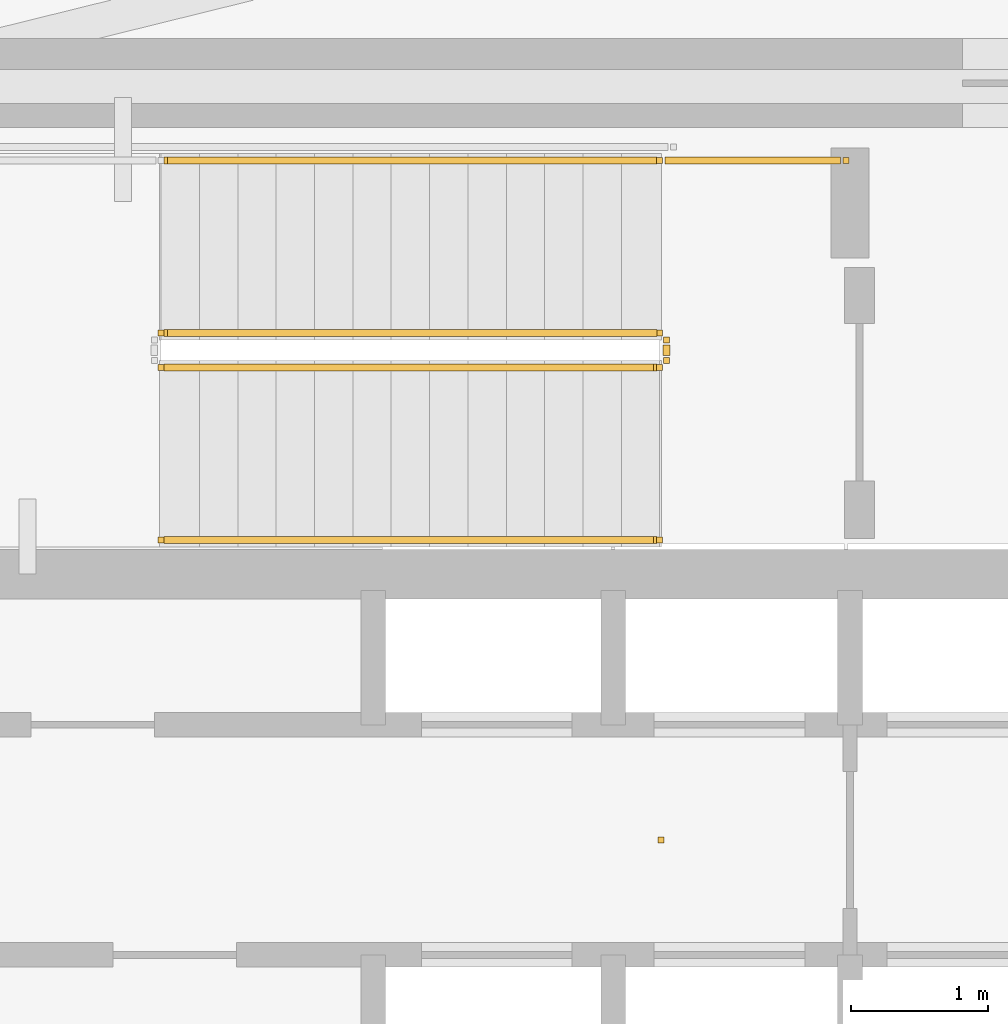
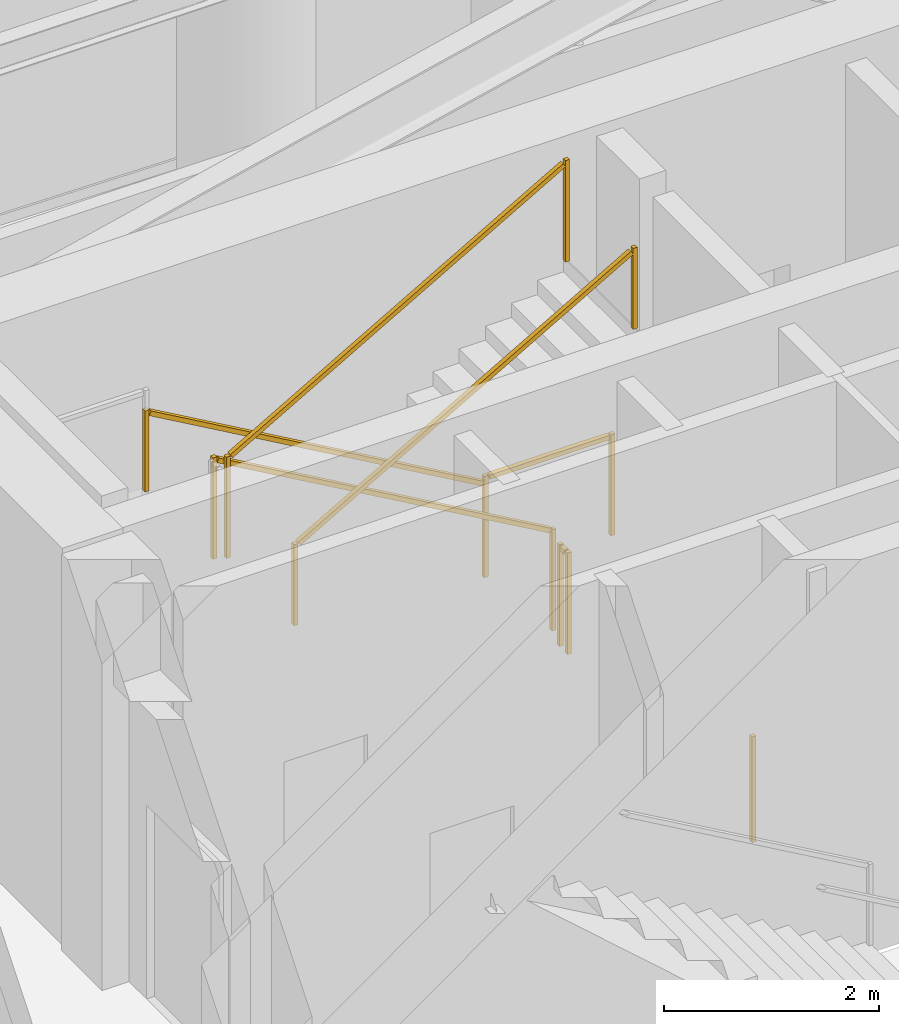
# One storey, part 10 of 11: 7 railings.
"""IFC4 building model written with IfcOpenShell, lengths in metres."""

from ifc_helpers import new_model, si_unit, direction, frame, origin, origin_2d, place, context, subcontext, project, spatial, rectangle, extrude, material, type_object, element, save


model = new_model("IFC4")

# Units and contexts
model_context = context("Model", 3, precision=1e-05, world=origin(), true_north=direction((0.0, 1.0)))
body_context = subcontext(model_context, "Body", "Model", "MODEL_VIEW")
ifc_project = project(units=[si_unit("LENGTHUNIT", "METRE"), si_unit("AREAUNIT", "SQUARE_METRE"), si_unit("VOLUMEUNIT", "CUBIC_METRE"), si_unit("PLANEANGLEUNIT", "RADIAN"), si_unit("MASSUNIT", "GRAM", prefix="KILO")], contexts=[model_context])

# Site, building, storey
site_placement = place(None, origin())
site = spatial("IfcSite", under=ifc_project, at=site_placement, CompositionType="ELEMENT")
building_placement = place(site_placement, origin())
building = spatial("IfcBuilding", under=site, at=building_placement, Name="Yunling Apex Tower", CompositionType="ELEMENT")
storey_placement = place(building_placement, frame((0.0, 0.0, 125.0)))
storey = spatial("IfcBuildingStorey", under=building, at=storey_placement, Name="L30", CompositionType="ELEMENT", Elevation=125.0)

# Railings
ifc_material_1 = material(Name="Bronze anodised aluminium", Category="aluminium")
railing_type_1 = type_object("IfcRailingType", Name="RL-BAL-1200", PredefinedType="BALUSTRADE", material=ifc_material_1)
railing_1_placement = place(storey_placement, origin())
element("IfcRailing", 1, at=railing_1_placement, inside=storey, type_object=railing_type_1, Name="RL-TATR-L30", PredefinedType="BALUSTRADE", context=body_context, shape_type="SweptSolid", body=[
    extrude(rectangle(XDim=0.0439453125, YDim=0.0439453125, at=origin_2d()), origin(), (0.0, 0.0, 1.0), 1.199951171875),
])
ifc_material_2 = material(Name="Steel Q355B", Category="steel")
railing_type_2 = type_object("IfcRailingType", Name="RL-GRD-1150", PredefinedType="GUARDRAIL", material=ifc_material_2)
railing_2_placement = place(storey_placement, frame((-0.010009765625, 3.699951171875, 0.16064453125)))
element("IfcRailing", 2, at=railing_2_placement, inside=storey, type_object=railing_type_2, Name="L30 ST-1 stair guard 1", PredefinedType="GUARDRAIL", context=body_context, shape_type="SweptSolid", body=[
    extrude(rectangle(XDim=0.0439453125, YDim=0.0439453125, at=origin_2d()), origin(), (0.0, 0.0, 1.0), 1.14990234375),
    extrude(rectangle(XDim=0.0439453125, YDim=0.0439453125, at=origin_2d()), frame((-3.639892578125, 0.0, 2.08935546875)), (0.0, 0.0, 1.0), 1.14990234375),
    extrude(rectangle(XDim=0.050048828125, YDim=0.050048828125, at=origin_2d()), frame((-0.033203125, 0.0, 1.14404296875), z_axis=(-0.8672749571, 0.0, 0.497829437445), x_axis=(0.0, -1.0, 0.0)), (0.0, 0.0, 1.0), 4.120361328125),
])
railing_3_placement = place(storey_placement, frame((-3.64990234375, 3.449951171875, 2.41064453125)))
element("IfcRailing", 3, at=railing_3_placement, inside=storey, type_object=railing_type_2, Name="L30 ST-1 stair guard 4", PredefinedType="GUARDRAIL", context=body_context, shape_type="SweptSolid", body=[
    extrude(rectangle(XDim=0.0439453125, YDim=0.0439453125, at=origin_2d()), origin(), (0.0, 0.0, 1.0), 1.14990234375),
    extrude(rectangle(XDim=0.0439453125, YDim=0.0439453125, at=origin_2d()), frame((3.639892578125, 0.0, 2.08935546875)), (0.0, 0.0, 1.0), 1.14990234375),
    extrude(rectangle(XDim=0.050048828125, YDim=0.050048828125, at=origin_2d()), frame((0.033203125, 0.0, 1.14404296875), z_axis=(0.8672749571, 0.0, 0.497829437445), x_axis=(0.0, 1.0, 0.0)), (0.0, 0.0, 1.0), 4.120361328125),
])
railing_4_placement = place(storey_placement, frame((0.0400390625, 3.64990234375, 0.0)))
element("IfcRailing", 4, at=railing_4_placement, inside=storey, type_object=railing_type_2, Name="L30 ST-1 stair guard 5", PredefinedType="GUARDRAIL", context=body_context, shape_type="SweptSolid", body=[
    extrude(rectangle(XDim=0.0439453125, YDim=0.0439453125, at=origin_2d()), origin(), (0.0, 0.0, 1.0), 1.14990234375),
    extrude(rectangle(XDim=0.0439453125, YDim=0.0439453125, at=origin_2d()), frame((0.0, -0.14990234375, 0.0)), (0.0, 0.0, 1.0), 1.14990234375),
    extrude(rectangle(XDim=0.050048828125, YDim=0.050048828125, at=origin_2d()), frame((0.0, -0.038330078125, 1.125), z_axis=(0.0, -1.0, 0.0), x_axis=(1.0, 0.0, 0.0)), (0.0, 0.0, 1.0), 0.0732421875),
])
railing_5_placement = place(storey_placement, frame((1.35009765625, 4.9599609375, 0.0)))
element("IfcRailing", 5, at=railing_5_placement, inside=storey, type_object=railing_type_2, Name="L30 ST-1 stair guard 6", PredefinedType="GUARDRAIL", context=body_context, shape_type="SweptSolid", body=[
    extrude(rectangle(XDim=0.0439453125, YDim=0.0439453125, at=origin_2d()), origin(), (0.0, 0.0, 1.0), 1.14990234375),
    extrude(rectangle(XDim=0.0439453125, YDim=0.0439453125, at=origin_2d()), frame((-1.360107421875, 0.0, 0.0)), (0.0, 0.0, 1.0), 1.14990234375),
    extrude(rectangle(XDim=0.050048828125, YDim=0.050048828125, at=origin_2d()), frame((-0.038330078125, 0.0, 1.125), z_axis=(-1.0, 0.0, 0.0), x_axis=(0.0, -1.0, 0.0)), (0.0, 0.0, 1.0), 1.283447265625),
])
ifc_material_3 = material(Name="Silver anodised aluminium", Category="aluminium")
railing_type_3 = type_object("IfcRailingType", Name="RL-HND-900", PredefinedType="HANDRAIL", material=ifc_material_3)
railing_6_placement = place(storey_placement, frame((-0.010009765625, 4.9599609375, 0.16064453125)))
element("IfcRailing", 6, at=railing_6_placement, inside=storey, type_object=railing_type_3, Name="L30 ST-1 stair handrail 1", PredefinedType="HANDRAIL", context=body_context, shape_type="SweptSolid", body=[
    extrude(rectangle(XDim=0.0439453125, YDim=0.0439453125, at=origin_2d()), origin(), (0.0, 0.0, 1.0), 0.919921875),
    extrude(rectangle(XDim=0.0439453125, YDim=0.0439453125, at=origin_2d()), frame((-3.639892578125, 0.0, 2.08935546875)), (0.0, 0.0, 1.0), 0.919921875),
    extrude(rectangle(XDim=0.050048828125, YDim=0.050048828125, at=origin_2d()), frame((-0.033203125, 0.0, 0.9140625), z_axis=(-0.8672749571, 0.0, 0.497829437445), x_axis=(0.0, -1.0, 0.0)), (0.0, 0.0, 1.0), 4.120361328125),
])
railing_7_placement = place(storey_placement, frame((-3.64990234375, 2.18994140625, 2.41064453125)))
element("IfcRailing", 7, at=railing_7_placement, inside=storey, type_object=railing_type_3, Name="L30 ST-1 stair handrail 2", PredefinedType="HANDRAIL", context=body_context, shape_type="SweptSolid", body=[
    extrude(rectangle(XDim=0.0439453125, YDim=0.0439453125, at=origin_2d()), origin(), (0.0, 0.0, 1.0), 0.919921875),
    extrude(rectangle(XDim=0.0439453125, YDim=0.0439453125, at=origin_2d()), frame((3.639892578125, 0.0, 2.08935546875)), (0.0, 0.0, 1.0), 0.919921875),
    extrude(rectangle(XDim=0.050048828125, YDim=0.050048828125, at=origin_2d()), frame((0.033203125, 0.0, 0.9140625), z_axis=(0.8672749571, 0.0, 0.497829437445), x_axis=(0.0, 1.0, 0.0)), (0.0, 0.0, 1.0), 4.120361328125),
])

save(model, "model.ifc")
